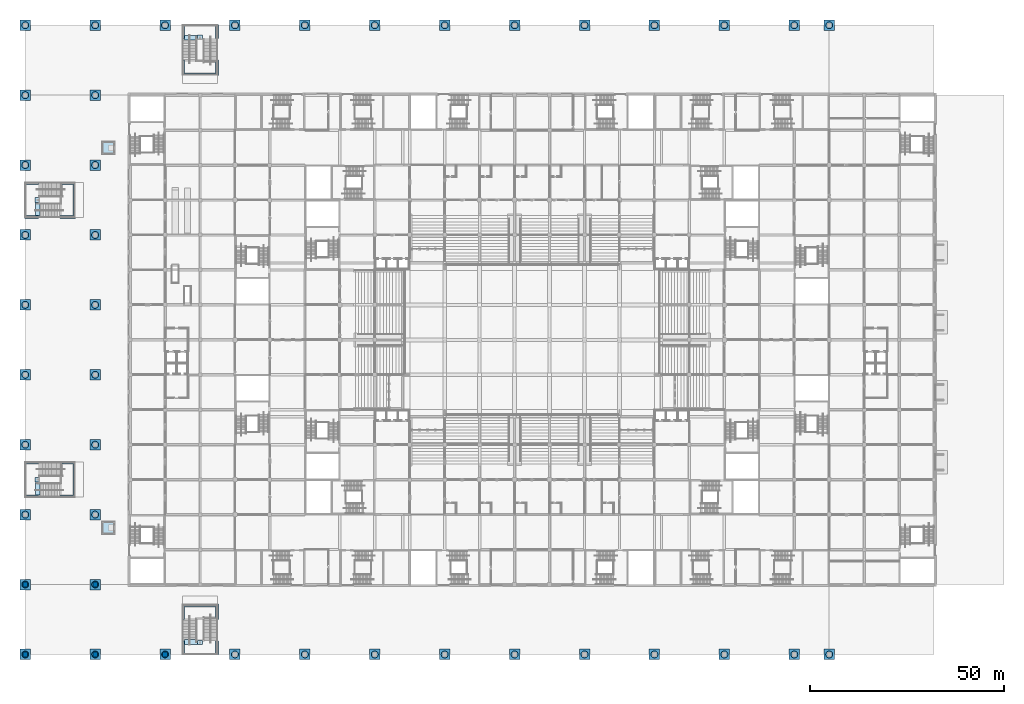
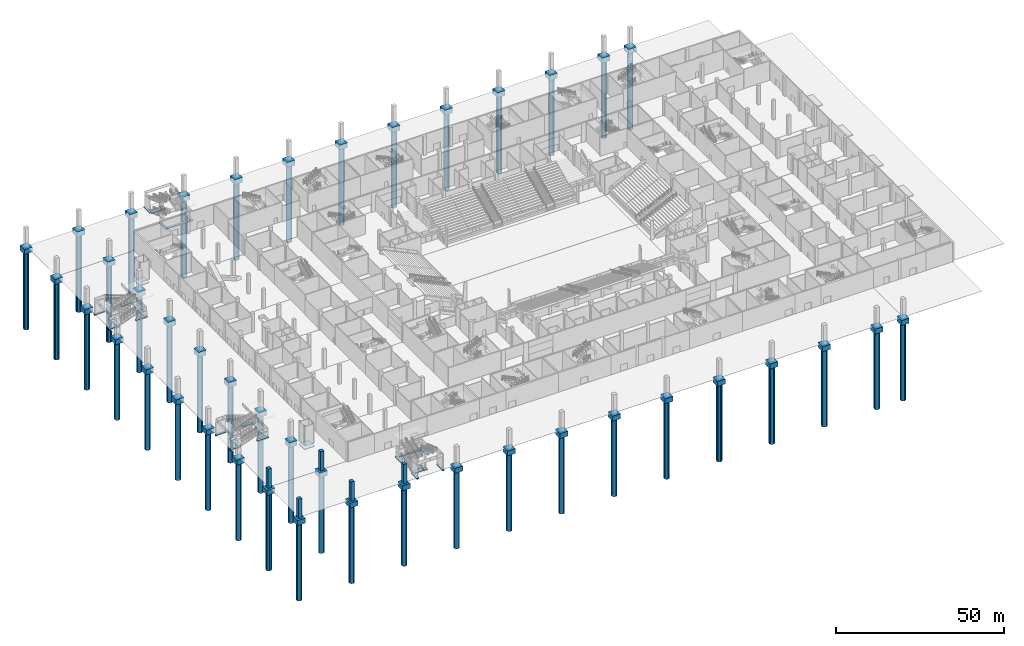
# One storey, part 1 of 92: 72 footings, 42 piles, 5 columns.
"""IFC4 building model written with IfcOpenShell, lengths in metres."""

from ifc_helpers import new_model, si_unit, direction, frame, origin, origin_2d, place, context, subcontext, project, spatial, polyline, rectangle, circle, outline, extrude, material, layer, layer_set, material_profile, profile_set, type_object, element, save


model = new_model("IFC4")

# Units and contexts
model_context = context("Model", 3, precision=1e-05, world=origin(), true_north=direction((0.0, 1.0)))
body_context = subcontext(model_context, "Body", "Model", "MODEL_VIEW")
ifc_project = project(units=[si_unit("LENGTHUNIT", "METRE"), si_unit("AREAUNIT", "SQUARE_METRE"), si_unit("VOLUMEUNIT", "CUBIC_METRE"), si_unit("PLANEANGLEUNIT", "RADIAN"), si_unit("MASSUNIT", "GRAM", prefix="KILO")], contexts=[model_context])

# Site, building, storey
site_placement = place(None, origin())
site = spatial("IfcSite", under=ifc_project, at=site_placement, CompositionType="ELEMENT")
building_placement = place(site_placement, origin())
building = spatial("IfcBuilding", under=site, at=building_placement, Name="Silverbay Arena", CompositionType="ELEMENT")
storey_placement = place(building_placement, origin())
storey = spatial("IfcBuildingStorey", under=building, at=storey_placement, Name="L00", CompositionType="ELEMENT", Elevation=0.0)

# Piles
ifc_material_1 = material(Name="Concrete Grade C45", Category="concrete")
ifc_material_profile_1 = material_profile(ifc_material_1, circle(Radius=0.89990234375, at=origin_2d()), Name="Bored pile 1800")
ifc_profile_set_1 = profile_set([ifc_material_profile_1], Name="Concrete Grade C45")
pile_type = type_object("IfcPileType", Name="Bored pile 1800", PredefinedType="BORED", material=ifc_profile_set_1)
for number, where, z_axis, x_axis, name in (
    (1, (0.0, 0.0, -1.800048828125), (0.0, 0.0, -1.0), (1.0, 0.0, 0.0), "Bored pile 0/0"),
    (2, (18.0, 0.0, -1.800048828125), (0.0, 0.0, -1.0), (1.0, 0.0, 0.0), "Bored pile 18/0"),
    (3, (36.0, 0.0, -1.800048828125), (0.0, 0.0, -1.0), (1.0, 0.0, 0.0), "Bored pile 36/0"),
    (4, (54.0, 0.0, -1.800048828125), (0.0, 0.0, -1.0), (1.0, 0.0, 0.0), "Bored pile 54/0"),
    (5, (72.0, 0.0, -1.800048828125), (0.0, 0.0, -1.0), (1.0, 0.0, 0.0), "Bored pile 72/0"),
    (6, (90.0, 0.0, -1.800048828125), (0.0, 0.0, -1.0), (1.0, 0.0, 0.0), "Bored pile 90/0"),
    (7, (108.0, 0.0, -1.800048828125), (0.0, 0.0, -1.0), (1.0, 0.0, 0.0), "Bored pile 108/0"),
    (8, (126.0, 0.0, -1.800048828125), (0.0, 0.0, -1.0), (1.0, 0.0, 0.0), "Bored pile 126/0"),
    (9, (144.0, 0.0, -1.800048828125), (0.0, 0.0, -1.0), (1.0, 0.0, 0.0), "Bored pile 144/0"),
    (10, (162.0, 0.0, -1.800048828125), (0.0, 0.0, -1.0), (1.0, 0.0, 0.0), "Bored pile 162/0"),
    (11, (180.0, 0.0, -1.800048828125), (0.0, 0.0, -1.0), (1.0, 0.0, 0.0), "Bored pile 180/0"),
    (12, (198.0, 0.0, -1.800048828125), (0.0, 0.0, -1.0), (1.0, 0.0, 0.0), "Bored pile 198/0"),
    (13, (207.0, 0.0, -1.800048828125), (0.0, 0.0, -1.0), (1.0, 0.0, 0.0), "Bored pile 207/0"),
    (14, (0.0, 18.0, -1.800048828125), (0.0, 0.0, -1.0), (1.0, 0.0, 0.0), "Bored pile 0/18"),
    (15, (18.0, 18.0, -1.800048828125), (0.0, 0.0, -1.0), (1.0, 0.0, 0.0), "Bored pile 18/18"),
    (16, (0.0, 36.0, -1.800048828125), (0.0, 0.0, -1.0), (1.0, 0.0, 0.0), "Bored pile 0/36"),
    (17, (18.0, 36.0, -1.800048828125), (0.0, 0.0, -1.0), (1.0, 0.0, 0.0), "Bored pile 18/36"),
    (18, (0.0, 54.0, -1.800048828125), (0.0, 0.0, -1.0), (1.0, 0.0, 0.0), "Bored pile 0/54"),
    (19, (18.0, 54.0, -1.800048828125), (0.0, 0.0, -1.0), (1.0, 0.0, 0.0), "Bored pile 18/54"),
    (20, (0.0, 72.0, -1.800048828125), (0.0, 0.0, -1.0), (1.0, 0.0, 0.0), "Bored pile 0/72"),
    (21, (18.0, 72.0, -1.800048828125), (0.0, 0.0, -1.0), (1.0, 0.0, 0.0), "Bored pile 18/72"),
    (22, (0.0, 90.0, -1.800048828125), (0.0, 0.0, -1.0), (1.0, 0.0, 0.0), "Bored pile 0/90"),
    (23, (18.0, 90.0, -1.800048828125), (0.0, 0.0, -1.0), (1.0, 0.0, 0.0), "Bored pile 18/90"),
    (24, (0.0, 108.0, -1.800048828125), (0.0, 0.0, -1.0), (1.0, 0.0, 0.0), "Bored pile 0/108"),
    (25, (18.0, 108.0, -1.800048828125), (0.0, 0.0, -1.0), (1.0, 0.0, 0.0), "Bored pile 18/108"),
    (26, (0.0, 126.0, -1.800048828125), (0.0, 0.0, -1.0), (1.0, 0.0, 0.0), "Bored pile 0/126"),
    (27, (18.0, 126.0, -1.800048828125), (0.0, 0.0, -1.0), (1.0, 0.0, 0.0), "Bored pile 18/126"),
    (28, (0.0, 144.0, -1.800048828125), (0.0, 0.0, -1.0), (1.0, 0.0, 0.0), "Bored pile 0/144"),
    (29, (18.0, 144.0, -1.800048828125), (0.0, 0.0, -1.0), (1.0, 0.0, 0.0), "Bored pile 18/144"),
    (30, (0.0, 162.0, -1.800048828125), (0.0, 0.0, -1.0), (1.0, 0.0, 0.0), "Bored pile 0/162"),
    (31, (18.0, 162.0, -1.800048828125), (0.0, 0.0, -1.0), (1.0, 0.0, 0.0), "Bored pile 18/162"),
    (32, (36.0, 162.0, -1.800048828125), (0.0, 0.0, -1.0), (1.0, 0.0, 0.0), "Bored pile 36/162"),
    (33, (54.0, 162.0, -1.800048828125), (0.0, 0.0, -1.0), (1.0, 0.0, 0.0), "Bored pile 54/162"),
    (34, (72.0, 162.0, -1.800048828125), (0.0, 0.0, -1.0), (1.0, 0.0, 0.0), "Bored pile 72/162"),
    (35, (90.0, 162.0, -1.800048828125), (0.0, 0.0, -1.0), (1.0, 0.0, 0.0), "Bored pile 90/162"),
    (36, (108.0, 162.0, -1.800048828125), (0.0, 0.0, -1.0), (1.0, 0.0, 0.0), "Bored pile 108/162"),
    (37, (126.0, 162.0, -1.800048828125), (0.0, 0.0, -1.0), (1.0, 0.0, 0.0), "Bored pile 126/162"),
    (38, (144.0, 162.0, -1.800048828125), (0.0, 0.0, -1.0), (1.0, 0.0, 0.0), "Bored pile 144/162"),
    (39, (162.0, 162.0, -1.800048828125), (0.0, 0.0, -1.0), (1.0, 0.0, 0.0), "Bored pile 162/162"),
    (40, (180.0, 162.0, -1.800048828125), (0.0, 0.0, -1.0), (1.0, 0.0, 0.0), "Bored pile 180/162"),
    (41, (198.0, 162.0, -1.800048828125), (0.0, 0.0, -1.0), (1.0, 0.0, 0.0), "Bored pile 198/162"),
    (42, (207.0, 162.0, -1.800048828125), (0.0, 0.0, -1.0), (1.0, 0.0, 0.0), "Bored pile 207/162"),
):
    element("IfcPile", number, at=place(storey_placement, frame(where, z_axis=z_axis, x_axis=x_axis)), inside=storey, type_object=pile_type, Name=name, PredefinedType="BORED", context=body_context, shape_type="SweptSolid", body=[
        extrude(circle(Radius=0.89990234375, at=origin_2d()), origin(), (0.0, 0.0, 1.0), 28.0),
    ])

# Footings
ifc_material_2 = material(Name="Concrete Grade C45", Category="concrete")
ifc_layer = layer(ifc_material_2, 0.300048828125)
ifc_layer_set = layer_set([ifc_layer], Name="Concrete Grade C45")
footing_type_1 = type_object("IfcFootingType", Name="Lift pit raft RC 300", PredefinedType="PAD_FOOTING", material=ifc_layer_set)
footing_1_placement = place(storey_placement, frame((0.0, 0.0, -1.300048828125)))
element("IfcFooting", 43, at=footing_1_placement, inside=storey, type_object=footing_type_1, Name="Lift pit raft LB-D1", PredefinedType="PAD_FOOTING", context=body_context, shape_type="SweptSolid", body=[
    extrude(outline(polyline([(19.699951171875, 30.89990234375), (23.10009765625, 30.89990234375), (23.10009765625, 34.300048828125), (19.699951171875, 34.300048828125), (19.699951171875, 30.89990234375)])), origin(), (0.0, 0.0, 1.0), 0.300048828125),
])
footing_2_placement = place(storey_placement, frame((0.0, 0.0, -1.300048828125)))
element("IfcFooting", 44, at=footing_2_placement, inside=storey, type_object=footing_type_1, Name="Lift pit raft LB-D2", PredefinedType="PAD_FOOTING", context=body_context, shape_type="SweptSolid", body=[
    extrude(outline(polyline([(19.699951171875, 128.699951171875), (23.10009765625, 128.699951171875), (23.10009765625, 132.10009765625), (19.699951171875, 132.10009765625), (19.699951171875, 128.699951171875)])), origin(), (0.0, 0.0, 1.0), 0.300048828125),
])
ifc_material_3 = material(Name="Concrete Grade C45", Category="concrete")
footing_type_2 = type_object("IfcFootingType", Name="Pad footing RC 1200 x 1200 x 500", PredefinedType="PAD_FOOTING", material=ifc_material_3)
footing_3_placement = place(storey_placement, frame((0.0, 0.0, -0.5)))
element("IfcFooting", 45, at=footing_3_placement, inside=storey, type_object=footing_type_2, Name="Deck stair DS1 support column footing", PredefinedType="PAD_FOOTING", context=body_context, shape_type="SweptSolid", body=[
    extrude(outline(polyline([(2.5, 44.39990234375), (3.699951171875, 44.39990234375), (3.699951171875, 45.60009765625), (2.5, 45.60009765625), (2.5, 44.39990234375)])), origin(), (0.0, 0.0, 1.0), 0.5),
])
footing_4_placement = place(storey_placement, frame((0.0, 0.0, -0.5)))
element("IfcFooting", 46, at=footing_4_placement, inside=storey, type_object=footing_type_2, Name="Deck stair DS2 support column footing", PredefinedType="PAD_FOOTING", context=body_context, shape_type="SweptSolid", body=[
    extrude(outline(polyline([(2.5, 116.39990234375), (3.699951171875, 116.39990234375), (3.699951171875, 117.60009765625), (2.5, 117.60009765625), (2.5, 116.39990234375)])), origin(), (0.0, 0.0, 1.0), 0.5),
])
footing_5_placement = place(storey_placement, frame((0.0, 0.0, -0.5)))
element("IfcFooting", 47, at=footing_5_placement, inside=storey, type_object=footing_type_2, Name="Deck stair DS3 support column footing", PredefinedType="PAD_FOOTING", context=body_context, shape_type="SweptSolid", body=[
    extrude(outline(polyline([(44.39990234375, 2.5), (44.39990234375, 3.699951171875), (45.60009765625, 3.699951171875), (45.60009765625, 2.5), (44.39990234375, 2.5)])), origin(), (0.0, 0.0, 1.0), 0.5),
])
footing_6_placement = place(storey_placement, frame((0.0, 0.0, -0.5)))
element("IfcFooting", 48, at=footing_6_placement, inside=storey, type_object=footing_type_2, Name="Deck stair DS4 support column footing", PredefinedType="PAD_FOOTING", context=body_context, shape_type="SweptSolid", body=[
    extrude(outline(polyline([(44.39990234375, 159.5), (44.39990234375, 158.300048828125), (45.60009765625, 158.300048828125), (45.60009765625, 159.5), (44.39990234375, 159.5)])), origin(), (0.0, 0.0, 1.0), 0.5),
])
ifc_material_4 = material(Name="Concrete Grade C45", Category="concrete")
footing_type_3 = type_object("IfcFootingType", Name="Pile cap 1 piles 2700x2700x1800", PredefinedType="PILE_CAP", material=ifc_material_4)
for number, where, z_axis, x_axis, name in (
    (49, (0.0, 0.0, -1.7998046875), (0.0, 0.0, 1.0), (1.0, 0.0, 0.0), "Pile cap 0/0"),
    (50, (18.0, 0.0, -1.7998046875), (0.0, 0.0, 1.0), (1.0, 0.0, 0.0), "Pile cap 18/0"),
    (51, (36.0, 0.0, -1.7998046875), (0.0, 0.0, 1.0), (1.0, 0.0, 0.0), "Pile cap 36/0"),
    (52, (54.0, 0.0, -1.7998046875), (0.0, 0.0, 1.0), (1.0, 0.0, 0.0), "Pile cap 54/0"),
    (53, (72.0, 0.0, -1.7998046875), (0.0, 0.0, 1.0), (1.0, 0.0, 0.0), "Pile cap 72/0"),
    (54, (90.0, 0.0, -1.7998046875), (0.0, 0.0, 1.0), (1.0, 0.0, 0.0), "Pile cap 90/0"),
    (55, (108.0, 0.0, -1.7998046875), (0.0, 0.0, 1.0), (1.0, 0.0, 0.0), "Pile cap 108/0"),
    (56, (126.0, 0.0, -1.7998046875), (0.0, 0.0, 1.0), (1.0, 0.0, 0.0), "Pile cap 126/0"),
    (57, (144.0, 0.0, -1.7998046875), (0.0, 0.0, 1.0), (1.0, 0.0, 0.0), "Pile cap 144/0"),
    (58, (162.0, 0.0, -1.7998046875), (0.0, 0.0, 1.0), (1.0, 0.0, 0.0), "Pile cap 162/0"),
    (59, (180.0, 0.0, -1.7998046875), (0.0, 0.0, 1.0), (1.0, 0.0, 0.0), "Pile cap 180/0"),
    (60, (198.0, 0.0, -1.7998046875), (0.0, 0.0, 1.0), (1.0, 0.0, 0.0), "Pile cap 198/0"),
    (61, (207.0, 0.0, -1.7998046875), (0.0, 0.0, 1.0), (1.0, 0.0, 0.0), "Pile cap 207/0"),
    (62, (0.0, 18.0, -1.7998046875), (0.0, 0.0, 1.0), (1.0, 0.0, 0.0), "Pile cap 0/18"),
    (63, (18.0, 18.0, -1.7998046875), (0.0, 0.0, 1.0), (1.0, 0.0, 0.0), "Pile cap 18/18"),
    (64, (0.0, 36.0, -1.7998046875), (0.0, 0.0, 1.0), (1.0, 0.0, 0.0), "Pile cap 0/36"),
    (65, (18.0, 36.0, -1.7998046875), (0.0, 0.0, 1.0), (1.0, 0.0, 0.0), "Pile cap 18/36"),
    (66, (0.0, 54.0, -1.7998046875), (0.0, 0.0, 1.0), (1.0, 0.0, 0.0), "Pile cap 0/54"),
    (67, (18.0, 54.0, -1.7998046875), (0.0, 0.0, 1.0), (1.0, 0.0, 0.0), "Pile cap 18/54"),
    (68, (0.0, 72.0, -1.7998046875), (0.0, 0.0, 1.0), (1.0, 0.0, 0.0), "Pile cap 0/72"),
    (69, (18.0, 72.0, -1.7998046875), (0.0, 0.0, 1.0), (1.0, 0.0, 0.0), "Pile cap 18/72"),
    (70, (0.0, 90.0, -1.7998046875), (0.0, 0.0, 1.0), (1.0, 0.0, 0.0), "Pile cap 0/90"),
    (71, (18.0, 90.0, -1.7998046875), (0.0, 0.0, 1.0), (1.0, 0.0, 0.0), "Pile cap 18/90"),
    (72, (0.0, 108.0, -1.7998046875), (0.0, 0.0, 1.0), (1.0, 0.0, 0.0), "Pile cap 0/108"),
    (73, (18.0, 108.0, -1.7998046875), (0.0, 0.0, 1.0), (1.0, 0.0, 0.0), "Pile cap 18/108"),
    (74, (0.0, 126.0, -1.7998046875), (0.0, 0.0, 1.0), (1.0, 0.0, 0.0), "Pile cap 0/126"),
    (75, (18.0, 126.0, -1.7998046875), (0.0, 0.0, 1.0), (1.0, 0.0, 0.0), "Pile cap 18/126"),
    (76, (0.0, 144.0, -1.7998046875), (0.0, 0.0, 1.0), (1.0, 0.0, 0.0), "Pile cap 0/144"),
    (77, (18.0, 144.0, -1.7998046875), (0.0, 0.0, 1.0), (1.0, 0.0, 0.0), "Pile cap 18/144"),
    (78, (0.0, 162.0, -1.7998046875), (0.0, 0.0, 1.0), (1.0, 0.0, 0.0), "Pile cap 0/162"),
    (79, (18.0, 162.0, -1.7998046875), (0.0, 0.0, 1.0), (1.0, 0.0, 0.0), "Pile cap 18/162"),
    (80, (36.0, 162.0, -1.7998046875), (0.0, 0.0, 1.0), (1.0, 0.0, 0.0), "Pile cap 36/162"),
    (81, (54.0, 162.0, -1.7998046875), (0.0, 0.0, 1.0), (1.0, 0.0, 0.0), "Pile cap 54/162"),
    (82, (72.0, 162.0, -1.7998046875), (0.0, 0.0, 1.0), (1.0, 0.0, 0.0), "Pile cap 72/162"),
    (83, (90.0, 162.0, -1.7998046875), (0.0, 0.0, 1.0), (1.0, 0.0, 0.0), "Pile cap 90/162"),
    (84, (108.0, 162.0, -1.7998046875), (0.0, 0.0, 1.0), (1.0, 0.0, 0.0), "Pile cap 108/162"),
    (85, (126.0, 162.0, -1.7998046875), (0.0, 0.0, 1.0), (1.0, 0.0, 0.0), "Pile cap 126/162"),
    (86, (144.0, 162.0, -1.7998046875), (0.0, 0.0, 1.0), (1.0, 0.0, 0.0), "Pile cap 144/162"),
    (87, (162.0, 162.0, -1.7998046875), (0.0, 0.0, 1.0), (1.0, 0.0, 0.0), "Pile cap 162/162"),
    (88, (180.0, 162.0, -1.7998046875), (0.0, 0.0, 1.0), (1.0, 0.0, 0.0), "Pile cap 180/162"),
    (89, (198.0, 162.0, -1.7998046875), (0.0, 0.0, 1.0), (1.0, 0.0, 0.0), "Pile cap 198/162"),
    (90, (207.0, 162.0, -1.7998046875), (0.0, 0.0, 1.0), (1.0, 0.0, 0.0), "Pile cap 207/162"),
):
    element("IfcFooting", number, at=place(storey_placement, frame(where, z_axis=z_axis, x_axis=x_axis)), inside=storey, type_object=footing_type_3, Name=name, PredefinedType="PILE_CAP", context=body_context, shape_type="SweptSolid", body=[
        extrude(rectangle(XDim=2.699951171875, YDim=2.699951171875, at=origin_2d()), origin(), (0.0, 0.0, 1.0), 1.800048828125),
    ])
ifc_material_5 = material(Name="Concrete Grade C45", Category="concrete")
footing_type_4 = type_object("IfcFootingType", Name="Strip footing RC 1200 x 400", PredefinedType="STRIP_FOOTING", material=ifc_material_5)
footing_7_placement = place(storey_placement, frame((0.0, 0.0, -0.39990234375)))
element("IfcFooting", 91, at=footing_7_placement, inside=storey, type_object=footing_type_4, Name="Deck stair DS1 foot strip footing", PredefinedType="STRIP_FOOTING", context=body_context, shape_type="SweptSolid", body=[
    extrude(outline(polyline([(2.60009765625, 41.0), (3.800048828125, 41.0), (3.800048828125, 44.300048828125), (2.60009765625, 44.300048828125), (2.60009765625, 41.0)])), origin(), (0.0, 0.0, 1.0), 0.39990234375),
])
footing_8_placement = place(storey_placement, frame((0.0, 0.0, -0.39990234375)))
element("IfcFooting", 92, at=footing_8_placement, inside=storey, type_object=footing_type_4, Name="Deck stair DS2 foot strip footing", PredefinedType="STRIP_FOOTING", context=body_context, shape_type="SweptSolid", body=[
    extrude(outline(polyline([(2.60009765625, 113.0), (3.800048828125, 113.0), (3.800048828125, 116.300048828125), (2.60009765625, 116.300048828125), (2.60009765625, 113.0)])), origin(), (0.0, 0.0, 1.0), 0.39990234375),
])
footing_9_placement = place(storey_placement, frame((0.0, 0.0, -0.39990234375)))
element("IfcFooting", 93, at=footing_9_placement, inside=storey, type_object=footing_type_4, Name="Deck stair DS3 foot strip footing", PredefinedType="STRIP_FOOTING", context=body_context, shape_type="SweptSolid", body=[
    extrude(outline(polyline([(41.0, 2.60009765625), (41.0, 3.800048828125), (44.300048828125, 3.800048828125), (44.300048828125, 2.60009765625), (41.0, 2.60009765625)])), origin(), (0.0, 0.0, 1.0), 0.39990234375),
])
footing_10_placement = place(storey_placement, frame((0.0, 0.0, -0.39990234375)))
element("IfcFooting", 94, at=footing_10_placement, inside=storey, type_object=footing_type_4, Name="Deck stair DS4 foot strip footing", PredefinedType="STRIP_FOOTING", context=body_context, shape_type="SweptSolid", body=[
    extrude(outline(polyline([(41.0, 159.39990234375), (41.0, 158.199951171875), (44.300048828125, 158.199951171875), (44.300048828125, 159.39990234375), (41.0, 159.39990234375)])), origin(), (0.0, 0.0, 1.0), 0.39990234375),
])
ifc_material_6 = material(Name="Concrete Grade C45", Category="concrete")
footing_type_5 = type_object("IfcFootingType", Name="Strip footing RC 700 x 400", PredefinedType="STRIP_FOOTING", material=ifc_material_6)
footing_11_placement = place(storey_placement, frame((0.0, 0.0, -0.39990234375)))
element("IfcFooting", 95, at=footing_11_placement, inside=storey, type_object=footing_type_5, Name="Deck stair DS1 support footing", PredefinedType="STRIP_FOOTING", context=body_context, shape_type="SweptSolid", body=[
    extrude(outline(polyline([(-0.199951171875, 40.300048828125), (3.39990234375, 40.300048828125), (3.39990234375, 41.0), (-0.199951171875, 41.0), (-0.199951171875, 40.300048828125)])), origin(), (0.0, 0.0, 1.0), 0.39990234375),
])
footing_12_placement = place(storey_placement, frame((0.0, 0.0, -0.39990234375)))
element("IfcFooting", 96, at=footing_12_placement, inside=storey, type_object=footing_type_5, Name="Deck stair DS1 support footing", PredefinedType="STRIP_FOOTING", context=body_context, shape_type="SweptSolid", body=[
    extrude(outline(polyline([(-0.199951171875, 49.0), (3.39990234375, 49.0), (3.39990234375, 49.699951171875), (-0.199951171875, 49.699951171875), (-0.199951171875, 49.0)])), origin(), (0.0, 0.0, 1.0), 0.39990234375),
])
footing_13_placement = place(storey_placement, frame((0.0, 0.0, -0.39990234375)))
element("IfcFooting", 97, at=footing_13_placement, inside=storey, type_object=footing_type_5, Name="Deck stair DS1 support footing", PredefinedType="STRIP_FOOTING", context=body_context, shape_type="SweptSolid", body=[
    extrude(outline(polyline([(8.962158203125, 40.300048828125), (12.962158203125, 40.300048828125), (12.962158203125, 41.0), (8.962158203125, 41.0), (8.962158203125, 40.300048828125)])), origin(), (0.0, 0.0, 1.0), 0.39990234375),
])
footing_14_placement = place(storey_placement, frame((0.0, 0.0, -0.39990234375)))
element("IfcFooting", 98, at=footing_14_placement, inside=storey, type_object=footing_type_5, Name="Deck stair DS1 support footing", PredefinedType="STRIP_FOOTING", context=body_context, shape_type="SweptSolid", body=[
    extrude(outline(polyline([(8.962158203125, 49.0), (12.962158203125, 49.0), (12.962158203125, 49.699951171875), (8.962158203125, 49.699951171875), (8.962158203125, 49.0)])), origin(), (0.0, 0.0, 1.0), 0.39990234375),
])
footing_15_placement = place(storey_placement, frame((0.0, 0.0, -0.39990234375)))
element("IfcFooting", 99, at=footing_15_placement, inside=storey, type_object=footing_type_5, Name="Deck stair DS1 support footing", PredefinedType="STRIP_FOOTING", context=body_context, shape_type="SweptSolid", body=[
    extrude(outline(polyline([(12.261962890625, 40.60009765625), (12.962158203125, 40.60009765625), (12.962158203125, 49.39990234375), (12.261962890625, 49.39990234375), (12.261962890625, 40.60009765625)])), origin(), (0.0, 0.0, 1.0), 0.39990234375),
])
footing_16_placement = place(storey_placement, frame((0.0, 0.0, -0.39990234375)))
element("IfcFooting", 100, at=footing_16_placement, inside=storey, type_object=footing_type_5, Name="Deck stair DS2 support footing", PredefinedType="STRIP_FOOTING", context=body_context, shape_type="SweptSolid", body=[
    extrude(outline(polyline([(-0.199951171875, 112.300048828125), (3.39990234375, 112.300048828125), (3.39990234375, 113.0), (-0.199951171875, 113.0), (-0.199951171875, 112.300048828125)])), origin(), (0.0, 0.0, 1.0), 0.39990234375),
])
footing_17_placement = place(storey_placement, frame((0.0, 0.0, -0.39990234375)))
element("IfcFooting", 101, at=footing_17_placement, inside=storey, type_object=footing_type_5, Name="Deck stair DS2 support footing", PredefinedType="STRIP_FOOTING", context=body_context, shape_type="SweptSolid", body=[
    extrude(outline(polyline([(-0.199951171875, 121.0), (3.39990234375, 121.0), (3.39990234375, 121.699951171875), (-0.199951171875, 121.699951171875), (-0.199951171875, 121.0)])), origin(), (0.0, 0.0, 1.0), 0.39990234375),
])
footing_18_placement = place(storey_placement, frame((0.0, 0.0, -0.39990234375)))
element("IfcFooting", 102, at=footing_18_placement, inside=storey, type_object=footing_type_5, Name="Deck stair DS2 support footing", PredefinedType="STRIP_FOOTING", context=body_context, shape_type="SweptSolid", body=[
    extrude(outline(polyline([(8.962158203125, 112.300048828125), (12.962158203125, 112.300048828125), (12.962158203125, 113.0), (8.962158203125, 113.0), (8.962158203125, 112.300048828125)])), origin(), (0.0, 0.0, 1.0), 0.39990234375),
])
footing_19_placement = place(storey_placement, frame((0.0, 0.0, -0.39990234375)))
element("IfcFooting", 103, at=footing_19_placement, inside=storey, type_object=footing_type_5, Name="Deck stair DS2 support footing", PredefinedType="STRIP_FOOTING", context=body_context, shape_type="SweptSolid", body=[
    extrude(outline(polyline([(8.962158203125, 121.0), (12.962158203125, 121.0), (12.962158203125, 121.699951171875), (8.962158203125, 121.699951171875), (8.962158203125, 121.0)])), origin(), (0.0, 0.0, 1.0), 0.39990234375),
])
footing_20_placement = place(storey_placement, frame((0.0, 0.0, -0.39990234375)))
element("IfcFooting", 104, at=footing_20_placement, inside=storey, type_object=footing_type_5, Name="Deck stair DS2 support footing", PredefinedType="STRIP_FOOTING", context=body_context, shape_type="SweptSolid", body=[
    extrude(outline(polyline([(12.261962890625, 112.60009765625), (12.962158203125, 112.60009765625), (12.962158203125, 121.39990234375), (12.261962890625, 121.39990234375), (12.261962890625, 112.60009765625)])), origin(), (0.0, 0.0, 1.0), 0.39990234375),
])
footing_21_placement = place(storey_placement, frame((0.0, 0.0, -0.39990234375)))
element("IfcFooting", 105, at=footing_21_placement, inside=storey, type_object=footing_type_5, Name="Deck stair DS3 support footing", PredefinedType="STRIP_FOOTING", context=body_context, shape_type="SweptSolid", body=[
    extrude(outline(polyline([(40.300048828125, -0.199951171875), (40.300048828125, 3.39990234375), (41.0, 3.39990234375), (41.0, -0.199951171875), (40.300048828125, -0.199951171875)])), origin(), (0.0, 0.0, 1.0), 0.39990234375),
])
footing_22_placement = place(storey_placement, frame((0.0, 0.0, -0.39990234375)))
element("IfcFooting", 106, at=footing_22_placement, inside=storey, type_object=footing_type_5, Name="Deck stair DS3 support footing", PredefinedType="STRIP_FOOTING", context=body_context, shape_type="SweptSolid", body=[
    extrude(outline(polyline([(49.0, -0.199951171875), (49.0, 3.39990234375), (49.699951171875, 3.39990234375), (49.699951171875, -0.199951171875), (49.0, -0.199951171875)])), origin(), (0.0, 0.0, 1.0), 0.39990234375),
])
footing_23_placement = place(storey_placement, frame((0.0, 0.0, -0.39990234375)))
element("IfcFooting", 107, at=footing_23_placement, inside=storey, type_object=footing_type_5, Name="Deck stair DS3 support footing", PredefinedType="STRIP_FOOTING", context=body_context, shape_type="SweptSolid", body=[
    extrude(outline(polyline([(40.300048828125, 8.962158203125), (40.300048828125, 12.962158203125), (41.0, 12.962158203125), (41.0, 8.962158203125), (40.300048828125, 8.962158203125)])), origin(), (0.0, 0.0, 1.0), 0.39990234375),
])
footing_24_placement = place(storey_placement, frame((0.0, 0.0, -0.39990234375)))
element("IfcFooting", 108, at=footing_24_placement, inside=storey, type_object=footing_type_5, Name="Deck stair DS3 support footing", PredefinedType="STRIP_FOOTING", context=body_context, shape_type="SweptSolid", body=[
    extrude(outline(polyline([(49.0, 8.962158203125), (49.0, 12.962158203125), (49.699951171875, 12.962158203125), (49.699951171875, 8.962158203125), (49.0, 8.962158203125)])), origin(), (0.0, 0.0, 1.0), 0.39990234375),
])
footing_25_placement = place(storey_placement, frame((0.0, 0.0, -0.39990234375)))
element("IfcFooting", 109, at=footing_25_placement, inside=storey, type_object=footing_type_5, Name="Deck stair DS3 support footing", PredefinedType="STRIP_FOOTING", context=body_context, shape_type="SweptSolid", body=[
    extrude(outline(polyline([(40.60009765625, 12.261962890625), (40.60009765625, 12.962158203125), (49.39990234375, 12.962158203125), (49.39990234375, 12.261962890625), (40.60009765625, 12.261962890625)])), origin(), (0.0, 0.0, 1.0), 0.39990234375),
])
footing_26_placement = place(storey_placement, frame((0.0, 0.0, -0.39990234375)))
element("IfcFooting", 110, at=footing_26_placement, inside=storey, type_object=footing_type_5, Name="Deck stair DS4 support footing", PredefinedType="STRIP_FOOTING", context=body_context, shape_type="SweptSolid", body=[
    extrude(outline(polyline([(40.300048828125, 162.199951171875), (40.300048828125, 158.60009765625), (41.0, 158.60009765625), (41.0, 162.199951171875), (40.300048828125, 162.199951171875)])), origin(), (0.0, 0.0, 1.0), 0.39990234375),
])
footing_27_placement = place(storey_placement, frame((0.0, 0.0, -0.39990234375)))
element("IfcFooting", 111, at=footing_27_placement, inside=storey, type_object=footing_type_5, Name="Deck stair DS4 support footing", PredefinedType="STRIP_FOOTING", context=body_context, shape_type="SweptSolid", body=[
    extrude(outline(polyline([(49.0, 162.199951171875), (49.0, 158.60009765625), (49.699951171875, 158.60009765625), (49.699951171875, 162.199951171875), (49.0, 162.199951171875)])), origin(), (0.0, 0.0, 1.0), 0.39990234375),
])
footing_28_placement = place(storey_placement, frame((0.0, 0.0, -0.39990234375)))
element("IfcFooting", 112, at=footing_28_placement, inside=storey, type_object=footing_type_5, Name="Deck stair DS4 support footing", PredefinedType="STRIP_FOOTING", context=body_context, shape_type="SweptSolid", body=[
    extrude(outline(polyline([(40.300048828125, 153.037841796875), (40.300048828125, 149.037841796875), (41.0, 149.037841796875), (41.0, 153.037841796875), (40.300048828125, 153.037841796875)])), origin(), (0.0, 0.0, 1.0), 0.39990234375),
])
footing_29_placement = place(storey_placement, frame((0.0, 0.0, -0.39990234375)))
element("IfcFooting", 113, at=footing_29_placement, inside=storey, type_object=footing_type_5, Name="Deck stair DS4 support footing", PredefinedType="STRIP_FOOTING", context=body_context, shape_type="SweptSolid", body=[
    extrude(outline(polyline([(49.0, 153.037841796875), (49.0, 149.037841796875), (49.699951171875, 149.037841796875), (49.699951171875, 153.037841796875), (49.0, 153.037841796875)])), origin(), (0.0, 0.0, 1.0), 0.39990234375),
])
footing_30_placement = place(storey_placement, frame((0.0, 0.0, -0.39990234375)))
element("IfcFooting", 114, at=footing_30_placement, inside=storey, type_object=footing_type_5, Name="Deck stair DS4 support footing", PredefinedType="STRIP_FOOTING", context=body_context, shape_type="SweptSolid", body=[
    extrude(outline(polyline([(40.60009765625, 149.738037109375), (40.60009765625, 149.037841796875), (49.39990234375, 149.037841796875), (49.39990234375, 149.738037109375), (40.60009765625, 149.738037109375)])), origin(), (0.0, 0.0, 1.0), 0.39990234375),
])

# Columns
ifc_material_7 = material(Name="Concrete Grade 60", Category="concrete")
ifc_material_profile_2 = material_profile(ifc_material_7, rectangle(XDim=1.199951171875, YDim=1.199951171875, at=origin_2d()), Name="RC 1200x1200")
ifc_profile_set_2 = profile_set([ifc_material_profile_2], Name="Concrete Grade 60")
column_type = type_object("IfcColumnType", Name="RC column 1200x1200", PredefinedType="COLUMN", material=ifc_profile_set_2)
for number, where, z_axis, x_axis, name in (
    (115, (0.0, 18.0, 0.0), (0.0, 0.0, 1.0), (1.0, 0.0, 0.0), "Column 1/C L00"),
    (116, (18.0, 18.0, 0.0), (0.0, 0.0, 1.0), (1.0, 0.0, 0.0), "Column 3/C L00"),
    (117, (0.0, 0.0, 0.0), (0.0, 0.0, 1.0), (1.0, 0.0, 0.0), "Column 1/A L00"),
    (118, (18.0, 0.0, 0.0), (0.0, 0.0, 1.0), (1.0, 0.0, 0.0), "Column 3/A L00"),
    (119, (36.0, 0.0, 0.0), (0.0, 0.0, 1.0), (1.0, 0.0, 0.0), "Column 5/A L00"),
):
    element("IfcColumn", number, at=place(storey_placement, frame(where, z_axis=z_axis, x_axis=x_axis)), inside=storey, type_object=column_type, Name=name, PredefinedType="COLUMN", context=body_context, shape_type="SweptSolid", body=[
        extrude(rectangle(XDim=1.199951171875, YDim=1.199951171875, at=origin_2d()), origin(), (0.0, 0.0, 1.0), 7.0),
    ])

save(model, "model.ifc")
